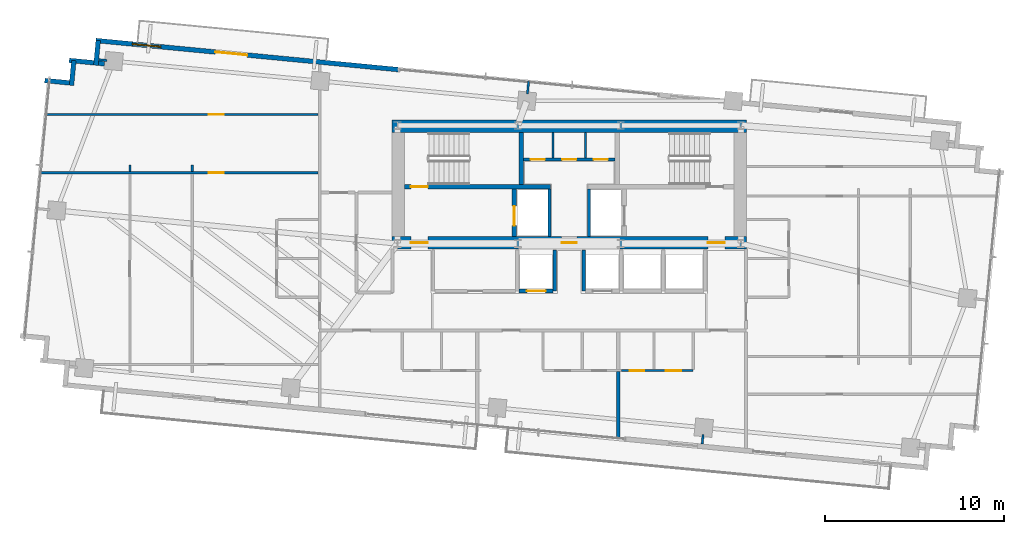
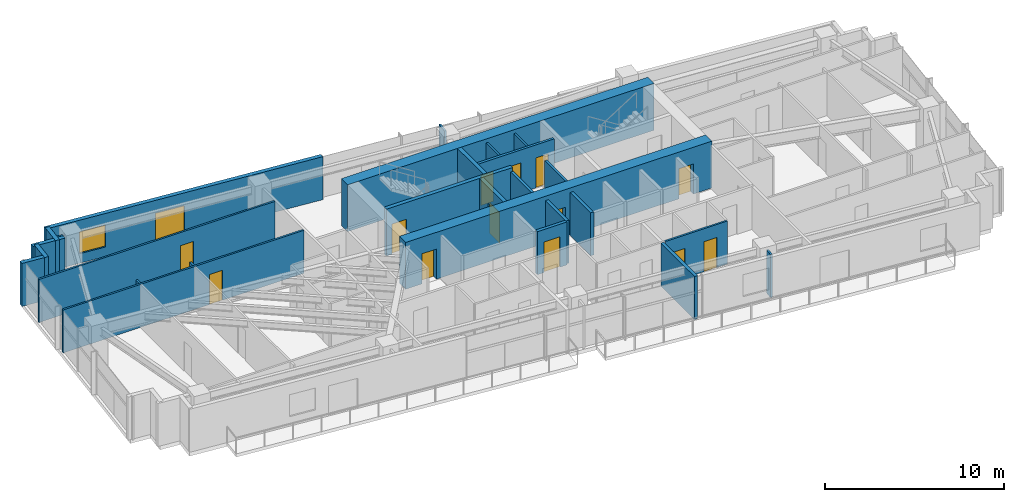
# One storey, part 15 of 19: 27 walls, 14 doors, 1 window, 15 openings.
"""IFC4 building model written with IfcOpenShell, lengths in metres."""

from ifc_helpers import new_model, si_unit, direction, frame, frame_2d, origin, place, context, subcontext, project, spatial, rectangle, extrude, source, transform, mapped, material, layer, layer_set, type_object, type_shapes, element, fill, save


model = new_model("IFC4")

# Units and contexts
model_context = context("Model", 3, precision=1e-05, world=origin(), true_north=direction((0.0, 1.0)))
body_context = subcontext(model_context, "Body", "Model", "MODEL_VIEW")
ifc_project = project(units=[si_unit("LENGTHUNIT", "METRE"), si_unit("AREAUNIT", "SQUARE_METRE"), si_unit("VOLUMEUNIT", "CUBIC_METRE"), si_unit("PLANEANGLEUNIT", "RADIAN"), si_unit("MASSUNIT", "GRAM", prefix="KILO")], contexts=[model_context])

# Site, building, storey
site_placement = place(None, origin())
site = spatial("IfcSite", under=ifc_project, at=site_placement, CompositionType="ELEMENT")
building_placement = place(site_placement, origin())
building = spatial("IfcBuilding", under=site, at=building_placement, Name="Astriad Promenade Condominiums", CompositionType="ELEMENT")
storey_placement = place(building_placement, frame((0.0, 0.0, 150.199951171875)))
storey = spatial("IfcBuildingStorey", under=building, at=storey_placement, Name="L43", CompositionType="ELEMENT", Elevation=150.199951171875)

# Wall, openings, doors
ifc_material_1 = material(Name="Concrete C60/75", Category="concrete")
ifc_layer_1 = layer(ifc_material_1, 0.699951171875)
ifc_layer_set_1 = layer_set([ifc_layer_1], Name="Concrete C60/75")
wall_type_1 = type_object("IfcWallType", Name="CW-SHEAR-700", PredefinedType="SHEAR", material=ifc_layer_set_1)
wall_1_placement = place(storey_placement, frame((26.10009765625, 17.449951171875, 0.0), z_axis=(0.0, 0.0, 1.0), x_axis=(1.0, 0.0, 0.0)))
wall_1 = element("IfcWall", 1, at=wall_1_placement, inside=storey, type_object=wall_type_1, Name="CW-CORE-S-L43", PredefinedType="SHEAR", context=body_context, shape_type="SweptSolid", body=[
    extrude(rectangle(XDim=19.7998046875, YDim=0.699951171875, at=frame_2d((9.89990234375, 0.0))), origin(), (0.0, 0.0, 1.0), 3.199951171875),
])
opening_1_placement = place(wall_1_placement, frame((1.050048828125, 0.0, 0.0)))
opening_1 = element("IfcOpeningElement", 2, at=opening_1_placement, cuts=wall_1, Name="Opening FD90-ST-095", PredefinedType="OPENING", context=body_context, shape_type="SweptSolid", body=[
    extrude(rectangle(XDim=0.949951171875, YDim=2.06005859375, at=frame_2d((0.47509765625, 1.030029296875))), frame((0.0, 0.35986328125, 0.0), z_axis=(0.0, -1.0, 0.0), x_axis=(1.0, 0.0, 0.0)), (0.0, 0.0, 1.0), 0.719970703125),
])
opening_2_placement = place(wall_1_placement, frame((9.47998046875, 0.0, 0.0)))
opening_2 = element("IfcOpeningElement", 3, at=opening_2_placement, cuts=wall_1, Name="Opening FD60-ULOW-085", PredefinedType="OPENING", context=body_context, shape_type="SweptSolid", body=[
    extrude(rectangle(XDim=0.85009765625, YDim=2.0, at=frame_2d((0.425048828125, 1.0))), frame((0.0, 0.35986328125, 0.0), z_axis=(0.0, -1.0, 0.0), x_axis=(1.0, 0.0, 0.0)), (0.0, 0.0, 1.0), 0.719970703125),
])
opening_3_placement = place(wall_1_placement, frame((17.64990234375, 0.0, 0.0)))
opening_3 = element("IfcOpeningElement", 4, at=opening_3_placement, cuts=wall_1, Name="Opening FD90-ST-095", PredefinedType="OPENING", context=body_context, shape_type="SweptSolid", body=[
    extrude(rectangle(XDim=0.949951171875, YDim=2.06005859375, at=frame_2d((0.47509765625, 1.030029296875))), frame((0.0, 0.35986328125, 0.0), z_axis=(0.0, -1.0, 0.0), x_axis=(1.0, 0.0, 0.0)), (0.0, 0.0, 1.0), 0.719970703125),
])
ifc_material_2 = material(Name="Fire-Rated Hollow Metal Stair Door")
door_type_1 = type_object("IfcDoorType", Name="FD90-ST-095", OperationType="NOTDEFINED", PredefinedType="DOOR", material=ifc_material_2)
shared_shape_1 = source(origin(), body_context, "Body", "SweptSolid", [
    extrude(rectangle(XDim=0.949951171875, YDim=2.06005859375, at=frame_2d((0.47509765625, 1.030029296875))), frame((0.0, 0.02490234375, 0.0), z_axis=(0.0, -1.0, 0.0), x_axis=(1.0, 0.0, 0.0)), (0.0, 0.0, 1.0), 0.050048828125),
])
type_shapes(door_type_1, [shared_shape_1])
door_1_placement = place(opening_1_placement, origin())
door_1 = element("IfcDoor", 5, at=door_1_placement, inside=storey, type_object=door_type_1, Name="D-FFW-L43", OperationType="SINGLE_SWING_LEFT", OverallHeight=2.06005859375, OverallWidth=0.949951171875, PredefinedType="DOOR", context=body_context, shape_type="MappedRepresentation", body=[
    mapped(shared_shape_1, transform((0.0, 0.0, 0.0), scale=1.0)),
])
fill(opening_1, door_1)
door_2_placement = place(opening_3_placement, origin())
door_2 = element("IfcDoor", 6, at=door_2_placement, inside=storey, type_object=door_type_1, Name="D-FFE-L43", OperationType="SINGLE_SWING_RIGHT", OverallHeight=2.06005859375, OverallWidth=0.949951171875, PredefinedType="DOOR", context=body_context, shape_type="MappedRepresentation", body=[
    mapped(shared_shape_1, transform((0.0, 0.0, 0.0), scale=1.0)),
])
fill(opening_3, door_2)
ifc_material_3 = material(Name="Solid-Core Low-Headroom Fire Door")
door_type_2 = type_object("IfcDoorType", Name="FD60-ULOW-085", OperationType="NOTDEFINED", PredefinedType="DOOR", material=ifc_material_3)
shared_shape_2 = source(origin(), body_context, "Body", "SweptSolid", [
    extrude(rectangle(XDim=0.85009765625, YDim=2.0, at=frame_2d((0.425048828125, 1.0))), frame((0.0, 0.02490234375, 0.0), z_axis=(0.0, -1.0, 0.0), x_axis=(1.0, 0.0, 0.0)), (0.0, 0.0, 1.0), 0.050048828125),
])
type_shapes(door_type_2, [shared_shape_2])
door_3_placement = place(opening_2_placement, origin())
door_3 = element("IfcDoor", 7, at=door_3_placement, inside=storey, type_object=door_type_2, Name="D-CSL-L43", OperationType="SINGLE_SWING_RIGHT", OverallHeight=2.0, OverallWidth=0.85009765625, PredefinedType="DOOR", context=body_context, shape_type="MappedRepresentation", body=[
    mapped(shared_shape_2, transform((0.0, 0.0, 0.0), scale=1.0)),
])
fill(opening_2, door_3)

# Wall
wall_2_placement = place(storey_placement, frame((26.10009765625, 23.949951171875, 0.0), z_axis=(0.0, 0.0, 1.0), x_axis=(1.0, 0.0, 0.0)))
element("IfcWall", 8, at=wall_2_placement, inside=storey, type_object=wall_type_1, Name="CW-CORE-N-L43", PredefinedType="SHEAR", context=body_context, shape_type="SweptSolid", body=[
    extrude(rectangle(XDim=19.7998046875, YDim=0.699951171875, at=frame_2d((9.89990234375, 0.0))), origin(), (0.0, 0.0, 1.0), 3.199951171875),
])

# Wall, opening, door
ifc_material_4 = material(Name="Concrete C50/60", Category="concrete")
ifc_layer_2 = layer(ifc_material_4, 0.25)
ifc_layer_set_2 = layer_set([ifc_layer_2], Name="Concrete C50/60")
wall_type_2 = type_object("IfcWallType", Name="WALL-CORE-INT-250", PredefinedType="SOLIDWALL", material=ifc_layer_set_2)
wall_3_placement = place(storey_placement, frame((26.802001953125, 20.574951171875, 0.0), z_axis=(0.0, 0.0, 1.0), x_axis=(1.0, 0.0, 0.0)))
wall_3 = element("IfcWall", 9, at=wall_3_placement, inside=storey, type_object=wall_type_2, Name="CW-INT-H1-L43", PredefinedType="SOLIDWALL", context=body_context, shape_type="SweptSolid", body=[
    extrude(rectangle(XDim=8.14794921875, YDim=0.25, at=frame_2d((4.073974609375, 0.0))), origin(), (0.0, 0.0, 1.0), 3.199951171875),
])
opening_4_placement = place(wall_3_placement, frame((0.347900390625, 0.0, 0.0)))
opening_4 = element("IfcOpeningElement", 10, at=opening_4_placement, cuts=wall_3, Name="Opening FD90-ST-095", PredefinedType="OPENING", context=body_context, shape_type="SweptSolid", body=[
    extrude(rectangle(XDim=0.949951171875, YDim=2.06005859375, at=frame_2d((0.47509765625, 1.030029296875))), frame((0.0, 0.135009765625, 0.0), z_axis=(0.0, -1.0, 0.0), x_axis=(1.0, 0.0, 0.0)), (0.0, 0.0, 1.0), 0.27001953125),
])
door_4_placement = place(opening_4_placement, origin())
door_4 = element("IfcDoor", 11, at=door_4_placement, inside=storey, type_object=door_type_1, Name="D-ST1-L43", OperationType="SINGLE_SWING_LEFT", OverallHeight=2.06005859375, OverallWidth=0.949951171875, PredefinedType="DOOR", context=body_context, shape_type="MappedRepresentation", body=[
    mapped(shared_shape_1, transform((0.0, 0.0, 0.0), scale=1.0)),
])
fill(opening_4, door_4)

# Wall
wall_4_placement = place(storey_placement, frame((33.324951171875, 20.701904296875, 0.0), z_axis=(0.0, 0.0, 1.0), x_axis=(0.0, 1.0, 0.0)))
element("IfcWall", 12, at=wall_4_placement, inside=storey, type_object=wall_type_2, Name="CW-ST1-E-L43", PredefinedType="SOLIDWALL", context=body_context, shape_type="SweptSolid", body=[
    extrude(rectangle(XDim=2.89599609375, YDim=0.25, at=frame_2d((1.447998046875, 0.0))), origin(), (0.0, 0.0, 1.0), 3.199951171875),
])

# Wall, opening, door
wall_5_placement = place(storey_placement, frame((32.925048828125, 17.802001953125, 0.0), z_axis=(0.0, 0.0, 1.0), x_axis=(0.0, 1.0, 0.0)))
wall_5 = element("IfcWall", 13, at=wall_5_placement, inside=storey, type_object=wall_type_2, Name="CW-FFL1-W-L43", PredefinedType="SOLIDWALL", context=body_context, shape_type="SweptSolid", body=[
    extrude(rectangle(XDim=2.64599609375, YDim=0.25, at=frame_2d((1.322998046875, 0.0))), origin(), (0.0, 0.0, 1.0), 3.199951171875),
])
opening_5_placement = place(wall_5_placement, frame((0.597900390625, 0.0, 0.0)))
opening_5 = element("IfcOpeningElement", 14, at=opening_5_placement, cuts=wall_5, Name="Opening LD-FFL-1122", PredefinedType="OPENING", context=body_context, shape_type="SweptSolid", body=[
    extrude(rectangle(XDim=1.10009765625, YDim=2.080078125, at=frame_2d((0.550048828125, 1.0400390625))), frame((0.0, 0.135009765625, 0.0), z_axis=(0.0, -1.0, 0.0), x_axis=(1.0, 0.0, 0.0)), (0.0, 0.0, 1.0), 0.27001953125),
])
ifc_material_5 = material(Name="Brushed Stainless Steel Fire Elevator Landing Door", Category="steel")
door_type_3 = type_object("IfcDoorType", Name="LD-FFL-1122", OperationType="NOTDEFINED", PredefinedType="DOOR", material=ifc_material_5)
shared_shape_3 = source(origin(), body_context, "Body", "SweptSolid", [
    extrude(rectangle(XDim=1.10009765625, YDim=2.080078125, at=frame_2d((0.550048828125, 1.0400390625))), frame((0.0, 0.02490234375, 0.0), z_axis=(0.0, -1.0, 0.0), x_axis=(1.0, 0.0, 0.0)), (0.0, 0.0, 1.0), 0.050048828125),
])
type_shapes(door_type_3, [shared_shape_3])
door_5_placement = place(opening_5_placement, origin())
door_5 = element("IfcDoor", 15, at=door_5_placement, inside=storey, type_object=door_type_3, Name="Elevator Landing Door FFL-1 (L43)", OperationType="SLIDING_TO_LEFT", OverallHeight=2.080078125, OverallWidth=1.10009765625, PredefinedType="DOOR", context=body_context, shape_type="MappedRepresentation", body=[
    mapped(shared_shape_3, transform((0.0, 0.0, 0.0), scale=1.0)),
])
fill(opening_5, door_5)

# Walls
ifc_material_6 = material(Name="Fire-Rated Gypsum Partition")
ifc_layer_3 = layer(ifc_material_6, 0.159912109375)
ifc_layer_set_3 = layer_set([ifc_layer_3], Name="Fire-Rated Gypsum Partition")
wall_type_3 = type_object("IfcWallType", Name="WALL-CORR-160", PredefinedType="PARTITIONING", material=ifc_layer_set_3)
for number, where, z_axis, x_axis, name in (
    (16, (34.89990234375, 17.802001953125, 0.0), (0.0, 0.0, 1.0), (0.0, 1.0, 0.0), "CW-FFL1-E-L43"),
    (17, (37.10009765625, 17.802001953125, 0.0), (0.0, 0.0, 1.0), (0.0, 1.0, 0.0), "CW-FFL2-W-L43"),
):
    element("IfcWall", number, at=place(storey_placement, frame(where, z_axis=z_axis, x_axis=x_axis)), inside=storey, type_object=wall_type_3, Name=name, PredefinedType="PARTITIONING", context=body_context, shape_type="SweptSolid", body=[
        extrude(rectangle(XDim=2.64599609375, YDim=0.159912109375, at=frame_2d((1.322998046875, 0.0))), origin(), (0.0, 0.0, 1.0), 2.93994140625),
    ])

# Wall, openings, doors
wall_6_placement = place(storey_placement, frame((33.451904296875, 22.10009765625, 0.0), z_axis=(0.0, 0.0, 1.0), x_axis=(1.0, 0.0, 0.0)))
wall_6 = element("IfcWall", 18, at=wall_6_placement, inside=storey, type_object=wall_type_3, Name="CW-AUX-N-L43", PredefinedType="PARTITIONING", context=body_context, shape_type="SweptSolid", body=[
    extrude(rectangle(XDim=5.09619140625, YDim=0.159912109375, at=frame_2d((2.548095703125, 0.0))), origin(), (0.0, 0.0, 1.0), 2.93994140625),
])
opening_6_placement = place(wall_6_placement, frame((0.387939453125, 0.0, 0.0)))
opening_6 = element("IfcOpeningElement", 19, at=opening_6_placement, cuts=wall_6, Name="Opening FD60-SV-080", PredefinedType="OPENING", context=body_context, shape_type="SweptSolid", body=[
    extrude(rectangle(XDim=0.800048828125, YDim=2.050048828125, at=frame_2d((0.39990234375, 1.02490234375))), frame((0.0, 0.08984375, 0.0), z_axis=(0.0, -1.0, 0.0), x_axis=(1.0, 0.0, 0.0)), (0.0, 0.0, 1.0), 0.179931640625),
])
opening_7_placement = place(wall_6_placement, frame((2.14794921875, 0.0, 0.0)))
opening_7 = element("IfcOpeningElement", 20, at=opening_7_placement, cuts=wall_6, Name="Opening FD60-SV-080", PredefinedType="OPENING", context=body_context, shape_type="SweptSolid", body=[
    extrude(rectangle(XDim=0.800048828125, YDim=2.050048828125, at=frame_2d((0.39990234375, 1.02490234375))), frame((0.0, 0.08984375, 0.0), z_axis=(0.0, -1.0, 0.0), x_axis=(1.0, 0.0, 0.0)), (0.0, 0.0, 1.0), 0.179931640625),
])
opening_8_placement = place(wall_6_placement, frame((3.907958984375, 0.0, 0.0)))
opening_8 = element("IfcOpeningElement", 21, at=opening_8_placement, cuts=wall_6, Name="Opening FD60-SV-080", PredefinedType="OPENING", context=body_context, shape_type="SweptSolid", body=[
    extrude(rectangle(XDim=0.800048828125, YDim=2.050048828125, at=frame_2d((0.39990234375, 1.02490234375))), frame((0.0, 0.08984375, 0.0), z_axis=(0.0, -1.0, 0.0), x_axis=(1.0, 0.0, 0.0)), (0.0, 0.0, 1.0), 0.179931640625),
])
ifc_material_7 = material(Name="Fire-Rated Riser Closet Door")
door_type_4 = type_object("IfcDoorType", Name="FD60-SV-080", OperationType="NOTDEFINED", PredefinedType="DOOR", material=ifc_material_7)
shared_shape_4 = source(origin(), body_context, "Body", "SweptSolid", [
    extrude(rectangle(XDim=0.800048828125, YDim=2.050048828125, at=frame_2d((0.39990234375, 1.02490234375))), frame((0.0, 0.02490234375, 0.0), z_axis=(0.0, -1.0, 0.0), x_axis=(1.0, 0.0, 0.0)), (0.0, 0.0, 1.0), 0.050048828125),
])
type_shapes(door_type_4, [shared_shape_4])
door_6_placement = place(opening_6_placement, origin())
door_6 = element("IfcDoor", 22, at=door_6_placement, inside=storey, type_object=door_type_4, Name="D-AUX1-L43", OperationType="SINGLE_SWING_LEFT", OverallHeight=2.050048828125, OverallWidth=0.800048828125, PredefinedType="DOOR", context=body_context, shape_type="MappedRepresentation", body=[
    mapped(shared_shape_4, transform((0.0, 0.0, 0.0), scale=1.0)),
])
fill(opening_6, door_6)
door_7_placement = place(opening_7_placement, origin())
door_7 = element("IfcDoor", 23, at=door_7_placement, inside=storey, type_object=door_type_4, Name="D-AUX2-L43", OperationType="SINGLE_SWING_RIGHT", OverallHeight=2.050048828125, OverallWidth=0.800048828125, PredefinedType="DOOR", context=body_context, shape_type="MappedRepresentation", body=[
    mapped(shared_shape_4, transform((0.0, 0.0, 0.0), scale=1.0)),
])
fill(opening_7, door_7)
door_8_placement = place(opening_8_placement, origin())
door_8 = element("IfcDoor", 24, at=door_8_placement, inside=storey, type_object=door_type_4, Name="D-AUX3-L43", OperationType="SINGLE_SWING_LEFT", OverallHeight=2.050048828125, OverallWidth=0.800048828125, PredefinedType="DOOR", context=body_context, shape_type="MappedRepresentation", body=[
    mapped(shared_shape_4, transform((0.0, 0.0, 0.0), scale=1.0)),
])
fill(opening_8, door_8)

# Walls
ifc_material_8 = material(Name="Acoustic Double-Stud Gypsum Partition")
ifc_layer_4 = layer(ifc_material_8, 0.199951171875)
ifc_layer_set_4 = layer_set([ifc_layer_4], Name="Acoustic Double-Stud Gypsum Partition")
wall_type_4 = type_object("IfcWallType", Name="WALL-DEMISING-200", PredefinedType="PARTITIONING", material=ifc_layer_set_4)
wall_7_placement = place(storey_placement, frame((38.73095703125, 6.464111328125, 0.0), z_axis=(0.0, 0.0, 1.0), x_axis=(0.0, 1.0, 0.0)))
element("IfcWall", 25, at=wall_7_placement, inside=storey, type_object=wall_type_4, Name="PT-DEM-S2-L43", PredefinedType="PARTITIONING", context=body_context, shape_type="SweptSolid", body=[
    extrude(rectangle(XDim=3.77392578125, YDim=0.199951171875, at=frame_2d((1.886962890625, 0.0))), origin(), (0.0, 0.0, 1.0), 2.93994140625),
])
ifc_material_9 = material(Name="Precast concrete C50/60", Category="concrete")
ifc_layer_5 = layer(ifc_material_9, 0.260009765625)
ifc_layer_set_5 = layer_set([ifc_layer_5], Name="Precast concrete C50/60")
wall_type_5 = type_object("IfcWallType", Name="WALL-EXT-TWR-260", PredefinedType="STANDARD", material=ifc_layer_set_5)
wall_8_placement = place(storey_placement, frame((6.68115234375, 26.518310546875, 0.0), z_axis=(0.0, 0.0, 1.0), x_axis=(0.995389446633, -0.095915846097, 0.0)))
element("IfcWall", 26, at=wall_8_placement, inside=storey, type_object=wall_type_5, Name="W-SER-L43-04", PredefinedType="STANDARD", context=body_context, shape_type="SweptSolid", body=[
    extrude(rectangle(XDim=1.394775390625, YDim=0.260009765625, at=frame_2d((0.697265625, 0.0))), origin(), (0.0, 0.0, 1.0), 2.93994140625),
])
wall_9_placement = place(storey_placement, frame((8.171875, 26.243896484375, 0.0), z_axis=(0.0, 0.0, 1.0), x_axis=(0.095725744959, 0.99540774648, 0.0)))
element("IfcWall", 27, at=wall_9_placement, inside=storey, type_object=wall_type_5, Name="W-SER-L43-05", PredefinedType="STANDARD", context=body_context, shape_type="SweptSolid", body=[
    extrude(rectangle(XDim=1.39501953125, YDim=0.260009765625, at=frame_2d((0.697509765625, 0.0))), origin(), (0.0, 0.0, 1.0), 2.93994140625),
])
wall_10_placement = place(storey_placement, frame((8.045166015625, 27.642578125, 0.0), z_axis=(0.0, 0.0, 1.0), x_axis=(0.995391147587, -0.095898192396, 0.0)))
element("IfcWall", 28, at=wall_10_placement, inside=storey, type_object=wall_type_5, Name="W-SER-L43-06", PredefinedType="STANDARD", context=body_context, shape_type="SweptSolid", body=[
    extrude(rectangle(XDim=1.97802734375, YDim=0.260009765625, at=frame_2d((0.989013671875, 0.0))), origin(), (0.0, 0.0, 1.0), 2.93994140625),
])
wall_11_placement = place(storey_placement, frame((9.535888671875, 27.368408203125, 0.0), z_axis=(0.0, 0.0, 1.0), x_axis=(0.095915846097, 0.995389446633, 0.0)))
element("IfcWall", 29, at=wall_11_placement, inside=storey, type_object=wall_type_5, Name="W-SER-L43-07", PredefinedType="STANDARD", context=body_context, shape_type="SweptSolid", body=[
    extrude(rectangle(XDim=1.394775390625, YDim=0.260009765625, at=frame_2d((0.697265625, 0.0))), origin(), (0.0, 0.0, 1.0), 2.93994140625),
])

# Wall, openings, door, window
wall_12_placement = place(storey_placement, frame((9.538818359375, 28.75439453125, 0.0), z_axis=(0.0, 0.0, 1.0), x_axis=(0.995397345886, -0.09583383433, 0.0)))
wall_12 = element("IfcWall", 30, at=wall_12_placement, inside=storey, type_object=wall_type_5, Name="W-EXT-L43-N1", PredefinedType="STANDARD", context=body_context, shape_type="SweptSolid", body=[
    extrude(rectangle(XDim=17.010009765625, YDim=0.260009765625, at=frame_2d((8.5048828125, 0.0))), origin(), (0.0, 0.0, 1.0), 2.93994140625),
])
opening_9_placement = place(wall_12_placement, frame((6.7109375, 0.0, 0.0)))
opening_9 = element("IfcOpeningElement", 31, at=opening_9_placement, cuts=wall_12, Name="Opening BD-1822-SLD", PredefinedType="OPENING", context=body_context, shape_type="SweptSolid", body=[
    extrude(rectangle(XDim=1.800048828125, YDim=2.06005859375, at=frame_2d((0.89990234375, 1.030029296875))), frame((0.0, 0.139892578125, 0.0), z_axis=(0.0, -1.0, 0.0), x_axis=(1.0, 0.0, 0.0)), (0.0, 0.0, 1.0), 0.280029296875),
])
opening_10_placement = place(wall_12_placement, frame((2.050048828125, 0.0, 0.64990234375)))
opening_10 = element("IfcOpeningElement", 32, at=opening_10_placement, cuts=wall_12, Name="Opening WIN-TWR-1620", PredefinedType="OPENING", context=body_context, shape_type="SweptSolid", body=[
    extrude(rectangle(XDim=1.60009765625, YDim=1.5, at=frame_2d((0.800048828125, 0.75))), frame((0.0, 0.139892578125, 0.0), z_axis=(0.0, -1.0, 0.0), x_axis=(1.0, 0.0, 0.0)), (0.0, 0.0, 1.0), 0.280029296875),
])
ifc_material_10 = material(Name="Thermally Broken Aluminium Sliding Balcony Door", Category="aluminium")
door_type_5 = type_object("IfcDoorType", Name="BD-1822-SLD", OperationType="NOTDEFINED", PredefinedType="DOOR", material=ifc_material_10)
shared_shape_5 = source(origin(), body_context, "Body", "SweptSolid", [
    extrude(rectangle(XDim=1.800048828125, YDim=2.06005859375, at=frame_2d((0.89990234375, 1.030029296875))), frame((0.0, 0.02490234375, 0.0), z_axis=(0.0, -1.0, 0.0), x_axis=(1.0, 0.0, 0.0)), (0.0, 0.0, 1.0), 0.050048828125),
])
type_shapes(door_type_5, [shared_shape_5])
door_9_placement = place(opening_9_placement, origin())
door_9 = element("IfcDoor", 33, at=door_9_placement, inside=storey, type_object=door_type_5, Name="BD-L43-NW", OperationType="SLIDING_TO_LEFT", OverallHeight=2.06005859375, OverallWidth=1.800048828125, PredefinedType="DOOR", context=body_context, shape_type="MappedRepresentation", body=[
    mapped(shared_shape_5, transform((0.0, 0.0, 0.0), scale=1.0)),
])
fill(opening_9, door_9)
ifc_material_11 = material(Name="Dark Tinted Triple-Glazed Aluminium Window", Category="aluminium")
window_type = type_object("IfcWindowType", Name="WIN-TWR-1620", PartitioningType="SINGLE_PANEL", PredefinedType="WINDOW", material=ifc_material_11)
shared_shape_6 = source(origin(), body_context, "Body", "SweptSolid", [
    extrude(rectangle(XDim=1.60009765625, YDim=1.5, at=frame_2d((0.800048828125, 0.75))), frame((0.0, 0.030029296875, 0.0), z_axis=(0.0, -1.0, 0.0), x_axis=(1.0, 0.0, 0.0)), (0.0, 0.0, 1.0), 0.06005859375),
])
type_shapes(window_type, [shared_shape_6])
window_placement = place(opening_10_placement, origin())
window = element("IfcWindow", 34, at=window_placement, inside=storey, type_object=window_type, Name="WIN-L43-NW", OverallHeight=1.5, OverallWidth=1.60009765625, PartitioningType="SINGLE_PANEL", PredefinedType="WINDOW", context=body_context, shape_type="MappedRepresentation", body=[
    mapped(shared_shape_6, transform((0.0, 0.0, 0.0), scale=1.0)),
])
fill(opening_10, window)

# Walls
ifc_material_12 = material(Name="Acoustic Metal-Stud Gypsum Partition")
ifc_layer_6 = layer(ifc_material_12, 0.1201171875)
ifc_layer_set_6 = layer_set([ifc_layer_6], Name="Acoustic Metal-Stud Gypsum Partition")
wall_type_6 = type_object("IfcWallType", Name="WALL-PART-120", PredefinedType="PARTITIONING", material=ifc_layer_set_6)
for number, where, z_axis, x_axis, name in (
    (35, (35.10009765625, 22.181884765625, 0.0), (0.0, 0.0, 1.0), (0.0, 1.0, 0.0), "CW-AUX-V1-L43"),
    (36, (36.89990234375, 22.181884765625, 0.0), (0.0, 0.0, 1.0), (0.0, 1.0, 0.0), "CW-AUX-V2-L43"),
):
    element("IfcWall", number, at=place(storey_placement, frame(where, z_axis=z_axis, x_axis=x_axis)), inside=storey, type_object=wall_type_6, Name=name, PredefinedType="PARTITIONING", context=body_context, shape_type="SweptSolid", body=[
        extrude(rectangle(XDim=1.416015625, YDim=0.1201171875, at=frame_2d((0.7080078125, 0.0))), origin(), (0.0, 0.0, 1.0), 2.93994140625),
    ])

# Wall, openings, doors
wall_13_placement = place(storey_placement, frame((38.930908203125, 10.300048828125, 0.0), z_axis=(0.0, 0.0, 1.0), x_axis=(1.0, 0.0, 0.0)))
wall_13 = element("IfcWall", 37, at=wall_13_placement, inside=storey, type_object=wall_type_6, Name="PT-L43-S3-PS", PredefinedType="PARTITIONING", context=body_context, shape_type="SweptSolid", body=[
    extrude(rectangle(XDim=4.0, YDim=0.1201171875, at=frame_2d((2.0, 0.0))), origin(), (0.0, 0.0, 1.0), 2.93994140625),
])
opening_11_placement = place(wall_13_placement, frame((0.449951171875, 0.0, 0.0)))
opening_11 = element("IfcOpeningElement", 38, at=opening_11_placement, cuts=wall_13, Name="Opening D-WET-080", PredefinedType="OPENING", context=body_context, shape_type="SweptSolid", body=[
    extrude(rectangle(XDim=0.800048828125, YDim=2.02001953125, at=frame_2d((0.39990234375, 1.010009765625))), frame((0.0, 0.070068359375, 0.0), z_axis=(0.0, -1.0, 0.0), x_axis=(1.0, 0.0, 0.0)), (0.0, 0.0, 1.0), 0.14013671875),
])
opening_12_placement = place(wall_13_placement, frame((2.47509765625, 0.0, 0.0)))
opening_12 = element("IfcOpeningElement", 39, at=opening_12_placement, cuts=wall_13, Name="Opening D-INT-085", PredefinedType="OPENING", context=body_context, shape_type="SweptSolid", body=[
    extrude(rectangle(XDim=0.85009765625, YDim=2.050048828125, at=frame_2d((0.425048828125, 1.02490234375))), frame((0.0, 0.070068359375, 0.0), z_axis=(0.0, -1.0, 0.0), x_axis=(1.0, 0.0, 0.0)), (0.0, 0.0, 1.0), 0.14013671875),
])
ifc_material_13 = material(Name="Moisture-Resistant Timber Bathroom Door", Category="wood")
door_type_6 = type_object("IfcDoorType", Name="D-WET-080", OperationType="NOTDEFINED", PredefinedType="DOOR", material=ifc_material_13)
shared_shape_7 = source(origin(), body_context, "Body", "SweptSolid", [
    extrude(rectangle(XDim=0.800048828125, YDim=2.02001953125, at=frame_2d((0.39990234375, 1.010009765625))), frame((0.0, 0.02490234375, 0.0), z_axis=(0.0, -1.0, 0.0), x_axis=(1.0, 0.0, 0.0)), (0.0, 0.0, 1.0), 0.050048828125),
])
type_shapes(door_type_6, [shared_shape_7])
door_10_placement = place(opening_11_placement, origin())
door_10 = element("IfcDoor", 40, at=door_10_placement, inside=storey, type_object=door_type_6, Name="D-BTH-L43-S3", OperationType="SINGLE_SWING_RIGHT", OverallHeight=2.02001953125, OverallWidth=0.800048828125, PredefinedType="DOOR", context=body_context, shape_type="MappedRepresentation", body=[
    mapped(shared_shape_7, transform((0.0, 0.0, 0.0), scale=1.0)),
])
fill(opening_11, door_10)
ifc_material_14 = material(Name="Painted Solid-Core Timber Room Door", Category="wood")
door_type_7 = type_object("IfcDoorType", Name="D-INT-085", OperationType="NOTDEFINED", PredefinedType="DOOR", material=ifc_material_14)
shared_shape_8 = source(origin(), body_context, "Body", "SweptSolid", [
    extrude(rectangle(XDim=0.85009765625, YDim=2.050048828125, at=frame_2d((0.425048828125, 1.02490234375))), frame((0.0, 0.02490234375, 0.0), z_axis=(0.0, -1.0, 0.0), x_axis=(1.0, 0.0, 0.0)), (0.0, 0.0, 1.0), 0.050048828125),
])
type_shapes(door_type_7, [shared_shape_8])
door_11_placement = place(opening_12_placement, origin())
door_11 = element("IfcDoor", 41, at=door_11_placement, inside=storey, type_object=door_type_7, Name="D-KIT-L43-S3", OperationType="SINGLE_SWING_LEFT", OverallHeight=2.050048828125, OverallWidth=0.85009765625, PredefinedType="DOOR", context=body_context, shape_type="MappedRepresentation", body=[
    mapped(shared_shape_8, transform((0.0, 0.0, 0.0), scale=1.0)),
])
fill(opening_12, door_11)

# Wall, opening, door
wall_14_placement = place(storey_placement, frame((6.709228515625, 24.617919921875, 0.0), z_axis=(0.0, 0.0, 1.0), x_axis=(1.0, 0.0, 0.0)))
wall_14 = element("IfcWall", 42, at=wall_14_placement, inside=storey, type_object=wall_type_6, Name="PT-L43-W1-WDN1", PredefinedType="PARTITIONING", context=body_context, shape_type="SweptSolid", body=[
    extrude(rectangle(XDim=15.2587890625, YDim=0.1201171875, at=frame_2d((7.62939453125, 0.0))), origin(), (0.0, 0.0, 1.0), 2.93994140625),
])
opening_13_placement = place(wall_14_placement, frame((9.13671875, 0.0, 0.0)))
opening_13 = element("IfcOpeningElement", 43, at=opening_13_placement, cuts=wall_14, Name="Opening D-INT-085", PredefinedType="OPENING", context=body_context, shape_type="SweptSolid", body=[
    extrude(rectangle(XDim=0.85009765625, YDim=2.050048828125, at=frame_2d((0.425048828125, 1.02490234375))), frame((0.0, 0.070068359375, 0.0), z_axis=(0.0, -1.0, 0.0), x_axis=(1.0, 0.0, 0.0)), (0.0, 0.0, 1.0), 0.14013671875),
])
door_12_placement = place(opening_13_placement, origin())
door_12 = element("IfcDoor", 44, at=door_12_placement, inside=storey, type_object=door_type_7, Name="D-WDN1-L43-W1", OperationType="SINGLE_SWING_LEFT", OverallHeight=2.050048828125, OverallWidth=0.85009765625, PredefinedType="DOOR", context=body_context, shape_type="MappedRepresentation", body=[
    mapped(shared_shape_8, transform((0.0, 0.0, 0.0), scale=1.0)),
])
fill(opening_13, door_12)

wall_15_placement = place(storey_placement, frame((6.39599609375, 21.364013671875, 0.0), z_axis=(0.0, 0.0, 1.0), x_axis=(1.0, 0.0, 0.0)))
wall_15 = element("IfcWall", 45, at=wall_15_placement, inside=storey, type_object=wall_type_6, Name="PT-L43-W1-WDN2", PredefinedType="PARTITIONING", context=body_context, shape_type="SweptSolid", body=[
    extrude(rectangle(XDim=15.572021484375, YDim=0.1201171875, at=frame_2d((7.7861328125, 0.0))), origin(), (0.0, 0.0, 1.0), 2.93994140625),
])
opening_14_placement = place(wall_15_placement, frame((9.4501953125, 0.0, 0.0)))
opening_14 = element("IfcOpeningElement", 46, at=opening_14_placement, cuts=wall_15, Name="Opening D-INT-085", PredefinedType="OPENING", context=body_context, shape_type="SweptSolid", body=[
    extrude(rectangle(XDim=0.85009765625, YDim=2.050048828125, at=frame_2d((0.425048828125, 1.02490234375))), frame((0.0, 0.070068359375, 0.0), z_axis=(0.0, -1.0, 0.0), x_axis=(1.0, 0.0, 0.0)), (0.0, 0.0, 1.0), 0.14013671875),
])
door_13_placement = place(opening_14_placement, origin())
door_13 = element("IfcDoor", 47, at=door_13_placement, inside=storey, type_object=door_type_7, Name="D-WDN2-L43-W1", OperationType="SINGLE_SWING_RIGHT", OverallHeight=2.050048828125, OverallWidth=0.85009765625, PredefinedType="DOOR", context=body_context, shape_type="MappedRepresentation", body=[
    mapped(shared_shape_8, transform((0.0, 0.0, 0.0), scale=1.0)),
])
fill(opening_14, door_13)

# Walls
for number, where, z_axis, x_axis, name in (
    (48, (11.43701171875, 21.426025390625, 0.0), (0.0, 0.0, 1.0), (0.0, 1.0, 0.0), "PT-L43-W1-WDV4-S3"),
    (49, (14.9208984375, 21.426025390625, 0.0), (0.0, 0.0, 1.0), (0.0, 1.0, 0.0), "PT-L43-W1-WDV5-S3"),
):
    element("IfcWall", number, at=place(storey_placement, frame(where, z_axis=z_axis, x_axis=x_axis)), inside=storey, type_object=wall_type_6, Name=name, PredefinedType="PARTITIONING", context=body_context, shape_type="SweptSolid", body=[
        extrude(rectangle(XDim=0.3779296875, YDim=0.1201171875, at=frame_2d((0.18896484375, 0.0))), origin(), (0.0, 0.0, 1.0), 2.93994140625),
    ])
wall_16_placement = place(storey_placement, frame((43.48388671875, 6.7294921875, 0.0), z_axis=(0.0, 0.0, 1.0), x_axis=(-0.095772948675, -0.995403205893, 0.0)))
element("IfcWall", 50, at=wall_16_placement, inside=storey, type_object=wall_type_6, Name="PT-PIL-L43-PC04-11", PredefinedType="PARTITIONING", context=body_context, shape_type="SweptSolid", body=[
    extrude(rectangle(XDim=0.537841796875, YDim=0.1201171875, at=frame_2d((0.26904296875, 0.0))), origin(), (0.0, 0.0, 1.0), 2.93994140625),
])
wall_17_placement = place(storey_placement, frame((10.15478515625, 27.640380859375, 0.0), z_axis=(0.0, 0.0, 1.0), x_axis=(-0.995435366701, 0.095438098896, 0.0)))
element("IfcWall", 51, at=wall_17_placement, inside=storey, type_object=wall_type_6, Name="PT-PIL-L43-PC06-13", PredefinedType="PARTITIONING", context=body_context, shape_type="SweptSolid", body=[
    extrude(rectangle(XDim=0.4580078125, YDim=0.1201171875, at=frame_2d((0.22900390625, 0.0))), origin(), (0.0, 0.0, 1.0), 2.93994140625),
])
wall_18_placement = place(storey_placement, frame((33.66259765625, 25.758544921875, 0.0), z_axis=(0.0, 0.0, 1.0), x_axis=(0.095977354523, 0.995383517755, 0.0)))
element("IfcWall", 52, at=wall_18_placement, inside=storey, type_object=wall_type_6, Name="PT-PIL-L43-PC08-15", PredefinedType="PARTITIONING", context=body_context, shape_type="SweptSolid", body=[
    extrude(rectangle(XDim=0.719970703125, YDim=0.1201171875, at=frame_2d((0.35986328125, 0.0))), origin(), (0.0, 0.0, 1.0), 2.93994140625),
])
ifc_material_15 = material(Name="Gypsum Shaftliner Assembly")
ifc_layer_7 = layer(ifc_material_15, 0.199951171875)
ifc_layer_set_7 = layer_set([ifc_layer_7], Name="Gypsum Shaftliner Assembly")
wall_type_7 = type_object("IfcWallType", Name="WALL-SHAFT-200", PredefinedType="PARTITIONING", material=ifc_layer_set_7)
wall_19_placement = place(storey_placement, frame((35.199951171875, 14.75, 0.0), z_axis=(0.0, 0.0, 1.0), x_axis=(0.0, 1.0, 0.0)))
element("IfcWall", 53, at=wall_19_placement, inside=storey, type_object=wall_type_7, Name="PL-M1-E-L43", PredefinedType="PARTITIONING", context=body_context, shape_type="SweptSolid", body=[
    extrude(rectangle(XDim=2.300048828125, YDim=0.199951171875, at=frame_2d((1.14990234375, 0.0))), origin(), (0.0, 0.0, 1.0), 2.93994140625),
])

# Wall, opening, door
wall_20_placement = place(storey_placement, frame((33.201904296875, 14.75, 0.0), z_axis=(0.0, 0.0, 1.0), x_axis=(1.0, 0.0, 0.0)))
wall_20 = element("IfcWall", 54, at=wall_20_placement, inside=storey, type_object=wall_type_7, Name="PL-M1-F-L43", PredefinedType="PARTITIONING", context=body_context, shape_type="SweptSolid", body=[
    extrude(rectangle(XDim=1.89599609375, YDim=0.199951171875, at=frame_2d((0.947998046875, 0.0))), origin(), (0.0, 0.0, 1.0), 2.93994140625),
])
opening_15_placement = place(wall_20_placement, frame((0.423095703125, 0.0, 0.0)))
opening_15 = element("IfcOpeningElement", 55, at=opening_15_placement, cuts=wall_20, Name="Opening LD-PL-10522", PredefinedType="OPENING", context=body_context, shape_type="SweptSolid", body=[
    extrude(rectangle(XDim=1.050048828125, YDim=2.080078125, at=frame_2d((0.52490234375, 1.0400390625))), frame((0.0, 0.10986328125, 0.0), z_axis=(0.0, -1.0, 0.0), x_axis=(1.0, 0.0, 0.0)), (0.0, 0.0, 1.0), 0.219970703125),
])
ifc_material_16 = material(Name="Brushed Bronze Passenger Elevator Landing Door")
door_type_8 = type_object("IfcDoorType", Name="LD-PL-10522", OperationType="NOTDEFINED", PredefinedType="DOOR", material=ifc_material_16)
shared_shape_9 = source(origin(), body_context, "Body", "SweptSolid", [
    extrude(rectangle(XDim=1.050048828125, YDim=2.080078125, at=frame_2d((0.52490234375, 1.0400390625))), frame((0.0, 0.02490234375, 0.0), z_axis=(0.0, -1.0, 0.0), x_axis=(1.0, 0.0, 0.0)), (0.0, 0.0, 1.0), 0.050048828125),
])
type_shapes(door_type_8, [shared_shape_9])
door_14_placement = place(opening_15_placement, origin())
door_14 = element("IfcDoor", 56, at=door_14_placement, inside=storey, type_object=door_type_8, Name="Elevator Landing Door PL-M1 (L43)", OperationType="SLIDING_TO_LEFT", OverallHeight=2.080078125, OverallWidth=1.050048828125, PredefinedType="DOOR", context=body_context, shape_type="MappedRepresentation", body=[
    mapped(shared_shape_9, transform((0.0, 0.0, 0.0), scale=1.0)),
])
fill(opening_15, door_14)

# Wall
wall_21_placement = place(storey_placement, frame((36.800048828125, 14.75, 0.0), z_axis=(0.0, 0.0, 1.0), x_axis=(0.0, 1.0, 0.0)))
element("IfcWall", 57, at=wall_21_placement, inside=storey, type_object=wall_type_7, Name="PL-M2-W-L43", PredefinedType="PARTITIONING", context=body_context, shape_type="SweptSolid", body=[
    extrude(rectangle(XDim=2.300048828125, YDim=0.199951171875, at=frame_2d((1.14990234375, 0.0))), origin(), (0.0, 0.0, 1.0), 2.93994140625),
])

save(model, "model.ifc")
